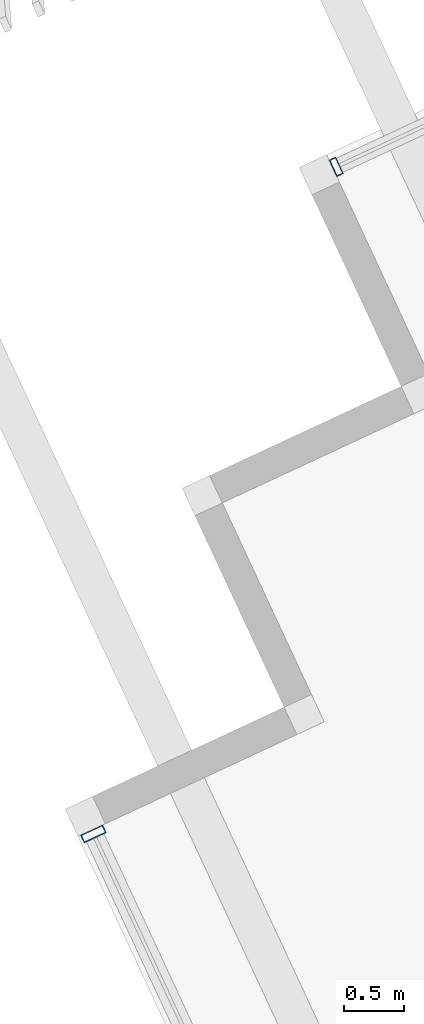
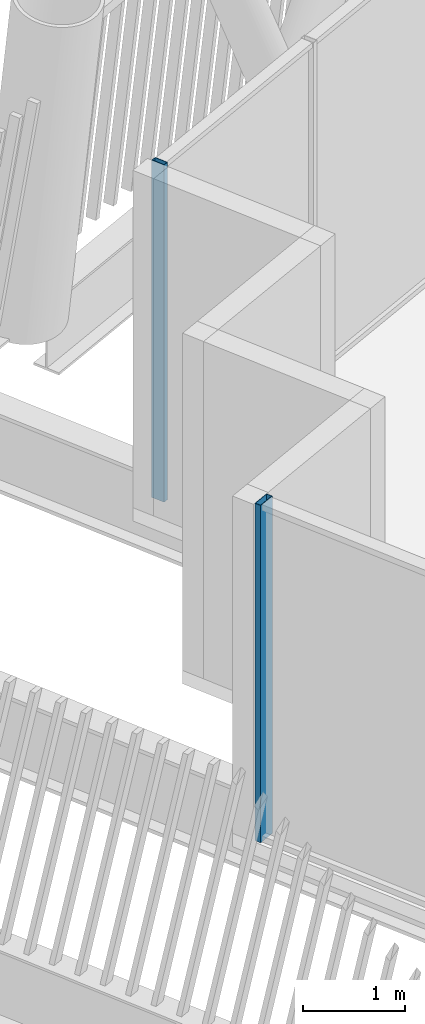
# One storey, part 6 of 36: 2 members, 2 elements without a shape of their own.
"""IFC4 building model written with IfcOpenShell, lengths in metres."""

from ifc_helpers import new_model, si_unit, direction, frame, origin, origin_2d, place, context, subcontext, project, spatial, hollow_rectangle, extrude, material, layer, layer_set, material_profile, profile_set, type_object, element, aggregate, save


model = new_model("IFC4")

# Units and contexts
model_context = context("Model", 3, precision=1e-05, world=origin(), true_north=direction((0.0, 1.0)))
body_context = subcontext(model_context, "Body", "Model", "MODEL_VIEW")
ifc_project = project(units=[si_unit("LENGTHUNIT", "METRE"), si_unit("AREAUNIT", "SQUARE_METRE"), si_unit("VOLUMEUNIT", "CUBIC_METRE"), si_unit("PLANEANGLEUNIT", "RADIAN"), si_unit("MASSUNIT", "GRAM", prefix="KILO")], contexts=[model_context])

# Site, building, storey
site_placement = place(None, origin())
site = spatial("IfcSite", under=ifc_project, at=site_placement, CompositionType="ELEMENT")
building_placement = place(site_placement, origin())
building = spatial("IfcBuilding", under=site, at=building_placement, Name="Tarsis Ring Headquarters", CompositionType="ELEMENT")
storey_placement = place(building_placement, frame((0.0, 0.0, 386.0)))
storey = spatial("IfcBuildingStorey", under=building, at=storey_placement, Name="L91", CompositionType="ELEMENT", Elevation=386.0)

# Curtain wall, member
ifc_material_1 = material(Name="Aluminium curtain wall", Category="aluminium")
ifc_layer_1 = layer(ifc_material_1, 0.199951171875)
ifc_layer_set_1 = layer_set([ifc_layer_1], Name="Curtain wall executive tip")
curtain_wall_type_1 = type_object("IfcCurtainWallType", Name="Curtain wall executive tip", PredefinedType="NOTDEFINED", material=ifc_layer_set_1)
curtain_wall_1_placement = place(storey_placement, origin())
curtain_wall_1 = element("IfcCurtainWall", 1, at=curtain_wall_1_placement, inside=storey, type_object=curtain_wall_type_1, Name="Curtain wall L91-36", PredefinedType="NOTDEFINED")
ifc_material_2 = material(Name="Aluminium mullion", Category="aluminium")
ifc_material_profile_1 = material_profile(ifc_material_2, hollow_rectangle(XDim=0.199951171875, YDim=0.070068359375, WallThickness=0.0048828125, at=origin_2d()), Name="RHS 200x70x5")
ifc_profile_set_1 = profile_set([ifc_material_profile_1], Name="Aluminium mullion")
member_type_1 = type_object("IfcMemberType", Name="Curtain wall mullion executive tip RHS 200x70x5", PredefinedType="MULLION", material=ifc_profile_set_1)
member_1_placement = place(storey_placement, frame((-39.406494140625, -9.832275390625, 0.0), z_axis=(0.0, 0.0, 1.0), x_axis=(0.906602610845, 0.421985433409, 0.0)))
member_1 = element("IfcMember", 2, at=member_1_placement, type_object=member_type_1, Name="CW-E mullion 1", PredefinedType="MULLION", context=body_context, shape_type="SweptSolid", body=[
    extrude(hollow_rectangle(XDim=0.199951171875, YDim=0.070068359375, WallThickness=0.0048828125, at=origin_2d()), origin(), (0.0, 0.0, 1.0), 4.0400390625),
])
aggregate(curtain_wall_1, [member_1])

ifc_layer_2 = layer(ifc_material_1, 0.14990234375)
ifc_layer_set_2 = layer_set([ifc_layer_2], Name="Curtain wall tower unit")
curtain_wall_type_2 = type_object("IfcCurtainWallType", Name="Curtain wall tower unit", PredefinedType="NOTDEFINED", material=ifc_layer_set_2)
curtain_wall_2_placement = place(storey_placement, origin())
curtain_wall_2 = element("IfcCurtainWall", 3, at=curtain_wall_2_placement, inside=storey, type_object=curtain_wall_type_2, Name="Curtain wall L91-31", PredefinedType="NOTDEFINED")
ifc_material_profile_2 = material_profile(ifc_material_2, hollow_rectangle(XDim=0.14990234375, YDim=0.06005859375, WallThickness=0.0048828125, at=origin_2d()), Name="RHS 150x60x5")
ifc_profile_set_2 = profile_set([ifc_material_profile_2], Name="Aluminium mullion")
member_type_2 = type_object("IfcMemberType", Name="Curtain wall mullion tower unit RHS 150x60x5", PredefinedType="MULLION", material=ifc_profile_set_2)
member_2_placement = place(storey_placement, frame((-37.39501953125, -4.307373046875, 0.0), z_axis=(0.0, 0.0, 1.0), x_axis=(0.421985462113, -0.906602597484, 0.0)))
member_2 = element("IfcMember", 4, at=member_2_placement, type_object=member_type_2, Name="CW-T mullion 6", PredefinedType="MULLION", context=body_context, shape_type="SweptSolid", body=[
    extrude(hollow_rectangle(XDim=0.14990234375, YDim=0.06005859375, WallThickness=0.0048828125, at=origin_2d()), origin(), (0.0, 0.0, 1.0), 4.0400390625),
])
aggregate(curtain_wall_2, [member_2])

save(model, "model.ifc")
